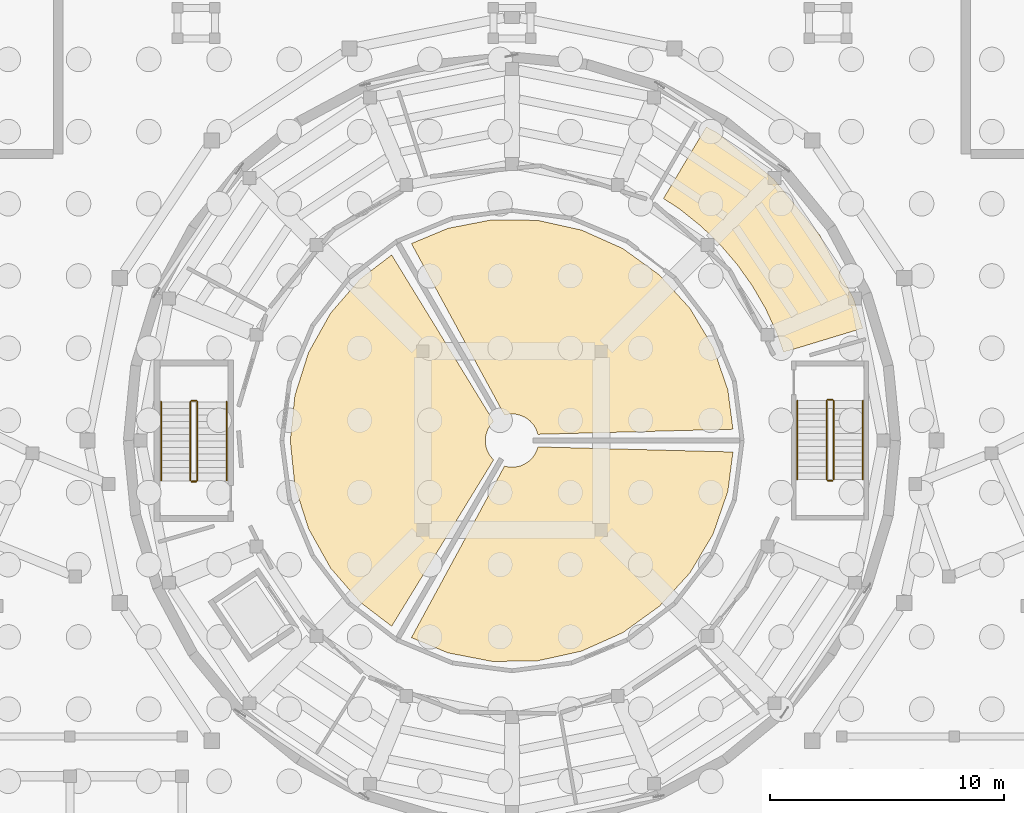
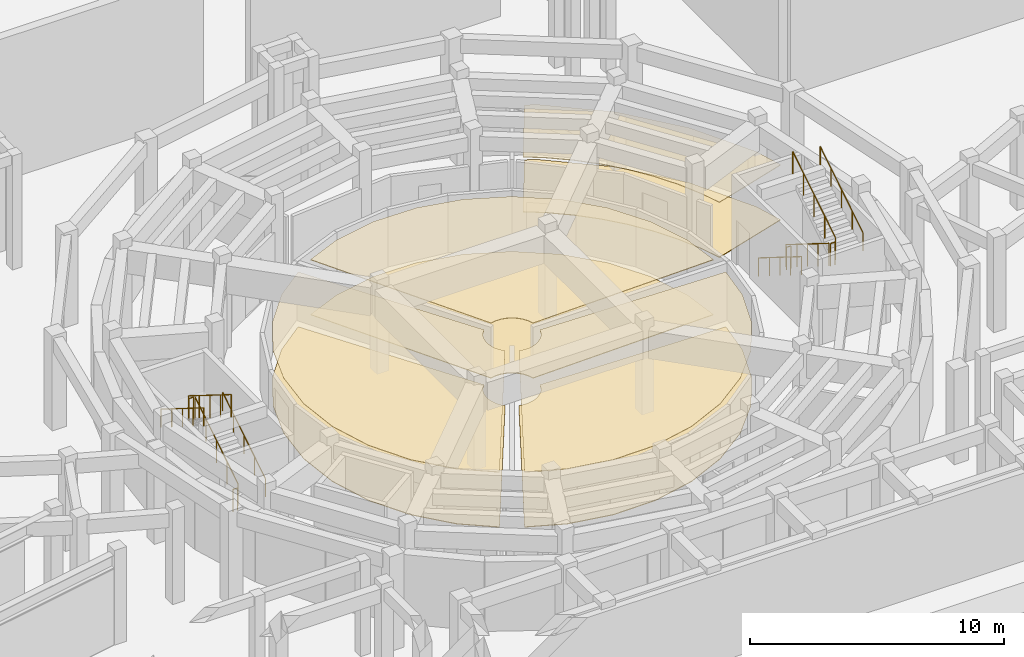
# One storey, part 52 of 57: 12 railings, 8 coverings.
"""IFC4 building model written with IfcOpenShell, lengths in metres."""

from ifc_helpers import new_model, si_unit, direction, frame, origin, origin_2d, place, context, subcontext, project, spatial, polyline, circle, outline, extrude, material, layer, layer_set, type_object, element, save


model = new_model("IFC4")

# Units and contexts
model_context = context("Model", 3, precision=1e-05, world=origin(), true_north=direction((0.0, 1.0)))
body_context = subcontext(model_context, "Body", "Model", "MODEL_VIEW")
ifc_project = project(units=[si_unit("LENGTHUNIT", "METRE"), si_unit("AREAUNIT", "SQUARE_METRE"), si_unit("VOLUMEUNIT", "CUBIC_METRE"), si_unit("PLANEANGLEUNIT", "RADIAN"), si_unit("MASSUNIT", "GRAM", prefix="KILO")], contexts=[model_context])

# Site, building, storey
site_placement = place(None, origin())
site = spatial("IfcSite", under=ifc_project, at=site_placement, CompositionType="ELEMENT")
building_placement = place(site_placement, origin())
building = spatial("IfcBuilding", under=site, at=building_placement, Name="Aldenvaro Health Centre", CompositionType="ELEMENT")
storey_placement = place(building_placement, frame((0.0, 0.0, -4.550048828125)))
storey = spatial("IfcBuildingStorey", under=building, at=storey_placement, Name="B1", CompositionType="ELEMENT", Elevation=-4.550048828125)

# Coverings
ifc_material_1 = material(Name="Perforated Douglas Fir Slatted Ceiling")
ifc_layer_1 = layer(ifc_material_1, 0.031982421875, Name="Perforated Douglas Fir Slatted Ceiling")
ifc_layer_set_1 = layer_set([ifc_layer_1], Name="Perforated Douglas Fir Slatted Ceiling")
covering_type_1 = type_object("IfcCoveringType", Name="COV-CLG-WD32", PredefinedType="CEILING", material=ifc_layer_set_1)
covering_1_placement = place(storey_placement, frame((0.0, 0.0, 2.64013671875)))
element("IfcCovering", 1, at=covering_1_placement, inside=storey, type_object=covering_type_1, Name="D1-B1-C01 Suspended Ceiling", PredefinedType="CEILING", context=body_context, shape_type="SweptSolid", body=[
    extrude(outline(polyline([(86.678955078125, 21.093994140625), (82.699951171875, 28.423095703125), (84.260009765625, 29.073974609375), (86.156982421875, 29.44091796875), (88.089111328125, 29.416015625), (89.97607421875, 28.9990234375), (91.739013671875, 28.208984375), (93.305908203125, 27.076904296875), (94.610107421875, 25.65087890625), (95.597900390625, 23.990966796875), (96.22802734375, 22.1640625), (96.445068359375, 20.487060546875), (88.10693359375, 20.26904296875), (88.10302734375, 20.283935546875), (88.04296875, 20.45703125), (88.033935546875, 20.47998046875), (88.02294921875, 20.501953125), (87.928955078125, 20.658935546875), (87.9150390625, 20.679931640625), (87.89990234375, 20.698974609375), (87.77587890625, 20.833984375), (87.758056640625, 20.85107421875), (87.739013671875, 20.866943359375), (87.591064453125, 20.97412109375), (87.570068359375, 20.987060546875), (87.548095703125, 20.998046875), (87.381103515625, 21.072998046875), (87.35791015625, 21.08203125), (87.333984375, 21.089111328125), (87.155029296875, 21.1279296875), (87.131103515625, 21.132080078125), (87.10693359375, 21.134033203125), (86.923095703125, 21.135986328125), (86.89892578125, 21.135009765625), (86.8740234375, 21.132080078125), (86.694091796875, 21.096923828125), (86.678955078125, 21.093994140625)])), origin(), (0.0, 0.0, 1.0), 0.031982421875),
])
covering_2_placement = place(storey_placement, frame((0.0, 0.0, 2.64013671875)))
element("IfcCovering", 2, at=covering_2_placement, inside=storey, type_object=covering_type_1, Name="D1-B1-C02 Suspended Ceiling", PredefinedType="CEILING", context=body_context, shape_type="SweptSolid", body=[
    extrude(outline(polyline([(81.85595703125, 27.93603515625), (86.212890625, 20.823974609375), (86.202880859375, 20.81298828125), (86.08203125, 20.675048828125), (86.06689453125, 20.656005859375), (86.053955078125, 20.635009765625), (85.965087890625, 20.47509765625), (85.9541015625, 20.452880859375), (85.945068359375, 20.429931640625), (85.889892578125, 20.2548828125), (85.884033203125, 20.23095703125), (85.8798828125, 20.20703125), (85.861083984375, 20.02392578125), (85.860107421875, 20.0), (85.861083984375, 19.97607421875), (85.8798828125, 19.79296875), (85.884033203125, 19.76904296875), (85.889892578125, 19.7451171875), (85.945068359375, 19.570068359375), (85.9541015625, 19.547119140625), (85.965087890625, 19.52490234375), (86.053955078125, 19.364990234375), (86.06689453125, 19.343994140625), (86.08203125, 19.324951171875), (86.202880859375, 19.18701171875), (86.212890625, 19.176025390625), (81.85595703125, 12.06396484375), (80.510986328125, 13.090087890625), (79.2451171875, 14.550048828125), (78.301025390625, 16.236083984375), (77.718017578125, 18.077880859375), (77.52099609375, 20.0), (77.718017578125, 21.922119140625), (78.301025390625, 23.763916015625), (79.2451171875, 25.449951171875), (80.510986328125, 26.909912109375), (81.85595703125, 27.93603515625)])), origin(), (0.0, 0.0, 1.0), 0.031982421875),
])
covering_3_placement = place(storey_placement, frame((0.0, 0.0, 2.64013671875)))
element("IfcCovering", 3, at=covering_3_placement, inside=storey, type_object=covering_type_1, Name="D1-B1-C03 Suspended Ceiling", PredefinedType="CEILING", context=body_context, shape_type="SweptSolid", body=[
    extrude(outline(polyline([(82.699951171875, 11.576904296875), (86.678955078125, 18.906005859375), (86.694091796875, 18.903076171875), (86.8740234375, 18.867919921875), (86.89892578125, 18.864990234375), (86.923095703125, 18.864013671875), (87.10693359375, 18.865966796875), (87.131103515625, 18.867919921875), (87.155029296875, 18.8720703125), (87.333984375, 18.910888671875), (87.35791015625, 18.91796875), (87.381103515625, 18.927001953125), (87.548095703125, 19.001953125), (87.570068359375, 19.012939453125), (87.591064453125, 19.02587890625), (87.739013671875, 19.133056640625), (87.758056640625, 19.14892578125), (87.77587890625, 19.166015625), (87.89990234375, 19.301025390625), (87.9150390625, 19.320068359375), (87.928955078125, 19.341064453125), (88.02294921875, 19.498046875), (88.033935546875, 19.52001953125), (88.04296875, 19.54296875), (88.10302734375, 19.716064453125), (88.10693359375, 19.73095703125), (96.445068359375, 19.512939453125), (96.22802734375, 17.8359375), (95.597900390625, 16.009033203125), (94.610107421875, 14.34912109375), (93.305908203125, 12.923095703125), (91.739013671875, 11.791015625), (89.97607421875, 11.0009765625), (88.089111328125, 10.583984375), (86.156982421875, 10.55908203125), (84.260009765625, 10.926025390625), (82.699951171875, 11.576904296875)])), origin(), (0.0, 0.0, 1.0), 0.031982421875),
])
covering_4_placement = place(storey_placement, frame((0.0, 0.0, 2.64013671875)))
element("IfcCovering", 4, at=covering_4_placement, inside=storey, type_object=covering_type_1, Name="D1-B1-R01 Suspended Ceiling", PredefinedType="CEILING", context=body_context, shape_type="SweptSolid", body=[
    extrude(outline(polyline([(98.320068359375, 24.60205078125), (98.31201171875, 24.6220703125), (97.84912109375, 25.623046875), (97.839111328125, 25.64306640625), (97.285888671875, 26.596923828125), (97.27392578125, 26.614990234375), (96.635986328125, 27.514892578125), (96.6220703125, 27.531982421875), (95.904052734375, 28.368896484375), (95.888916015625, 28.385009765625), (95.096923828125, 29.152099609375), (95.0810546875, 29.166015625), (94.221923828125, 29.85693359375), (94.2041015625, 29.87109375), (93.47607421875, 30.35302734375), (95.305908203125, 33.410888671875), (95.7880859375, 33.153076171875), (98.18603515625, 31.18603515625), (100.153076171875, 28.7880859375), (101.614013671875, 26.053955078125), (101.992919921875, 24.805908203125), (98.81103515625, 23.839111328125), (98.81005859375, 23.839111328125), (98.787109375, 23.8369140625), (98.779052734375, 23.8359375), (98.756103515625, 23.8310546875), (98.748046875, 23.8291015625), (98.72607421875, 23.822998046875), (98.718994140625, 23.820068359375), (98.697021484375, 23.81103515625), (98.68994140625, 23.80810546875), (98.6689453125, 23.7958984375), (98.66796875, 23.7958984375), (98.612060546875, 23.779052734375), (98.320068359375, 24.60205078125)])), origin(), (0.0, 0.0, 1.0), 0.031982421875),
])
ifc_material_2 = material(Name="Honed Arizona Limestone Flooring", Category="masonry")
ifc_layer_2 = layer(ifc_material_2, 0.030029296875, Name="Honed Arizona Limestone Flooring", Category="masonry")
ifc_layer_set_2 = layer_set([ifc_layer_2], Name="Honed Arizona Limestone Flooring")
covering_type_2 = type_object("IfcCoveringType", Name="COV-FLR-STN30", PredefinedType="FLOORING", material=ifc_layer_set_2)
covering_5_placement = place(storey_placement, origin())
element("IfcCovering", 5, at=covering_5_placement, inside=storey, type_object=covering_type_2, Name="D1-B1-C01 Flooring", PredefinedType="FLOORING", context=body_context, shape_type="SweptSolid", body=[
    extrude(outline(polyline([(86.678955078125, 21.093994140625), (82.699951171875, 28.423095703125), (84.260009765625, 29.073974609375), (86.156982421875, 29.44091796875), (88.089111328125, 29.416015625), (89.97607421875, 28.9990234375), (91.739013671875, 28.208984375), (93.305908203125, 27.076904296875), (94.610107421875, 25.65087890625), (95.597900390625, 23.990966796875), (96.22802734375, 22.1640625), (96.445068359375, 20.487060546875), (88.10693359375, 20.26904296875), (88.10302734375, 20.283935546875), (88.04296875, 20.45703125), (88.033935546875, 20.47998046875), (88.02294921875, 20.501953125), (87.928955078125, 20.658935546875), (87.9150390625, 20.679931640625), (87.89990234375, 20.698974609375), (87.77587890625, 20.833984375), (87.758056640625, 20.85107421875), (87.739013671875, 20.866943359375), (87.591064453125, 20.97412109375), (87.570068359375, 20.987060546875), (87.548095703125, 20.998046875), (87.381103515625, 21.072998046875), (87.35791015625, 21.08203125), (87.333984375, 21.089111328125), (87.155029296875, 21.1279296875), (87.131103515625, 21.132080078125), (87.10693359375, 21.134033203125), (86.923095703125, 21.135986328125), (86.89892578125, 21.135009765625), (86.8740234375, 21.132080078125), (86.694091796875, 21.096923828125), (86.678955078125, 21.093994140625)])), origin(), (0.0, 0.0, 1.0), 0.030029296875),
])
covering_6_placement = place(storey_placement, origin())
element("IfcCovering", 6, at=covering_6_placement, inside=storey, type_object=covering_type_2, Name="D1-B1-C02 Flooring", PredefinedType="FLOORING", context=body_context, shape_type="SweptSolid", body=[
    extrude(outline(polyline([(81.85595703125, 27.93603515625), (86.212890625, 20.823974609375), (86.202880859375, 20.81298828125), (86.08203125, 20.675048828125), (86.06689453125, 20.656005859375), (86.053955078125, 20.635009765625), (85.965087890625, 20.47509765625), (85.9541015625, 20.452880859375), (85.945068359375, 20.429931640625), (85.889892578125, 20.2548828125), (85.884033203125, 20.23095703125), (85.8798828125, 20.20703125), (85.861083984375, 20.02392578125), (85.860107421875, 20.0), (85.861083984375, 19.97607421875), (85.8798828125, 19.79296875), (85.884033203125, 19.76904296875), (85.889892578125, 19.7451171875), (85.945068359375, 19.570068359375), (85.9541015625, 19.547119140625), (85.965087890625, 19.52490234375), (86.053955078125, 19.364990234375), (86.06689453125, 19.343994140625), (86.08203125, 19.324951171875), (86.202880859375, 19.18701171875), (86.212890625, 19.176025390625), (81.85595703125, 12.06396484375), (80.510986328125, 13.090087890625), (79.2451171875, 14.550048828125), (78.301025390625, 16.236083984375), (77.718017578125, 18.077880859375), (77.52099609375, 20.0), (77.718017578125, 21.922119140625), (78.301025390625, 23.763916015625), (79.2451171875, 25.449951171875), (80.510986328125, 26.909912109375), (81.85595703125, 27.93603515625)])), origin(), (0.0, 0.0, 1.0), 0.030029296875),
])
covering_7_placement = place(storey_placement, origin())
element("IfcCovering", 7, at=covering_7_placement, inside=storey, type_object=covering_type_2, Name="D1-B1-C03 Flooring", PredefinedType="FLOORING", context=body_context, shape_type="SweptSolid", body=[
    extrude(outline(polyline([(82.699951171875, 11.576904296875), (86.678955078125, 18.906005859375), (86.694091796875, 18.903076171875), (86.8740234375, 18.867919921875), (86.89892578125, 18.864990234375), (86.923095703125, 18.864013671875), (87.10693359375, 18.865966796875), (87.131103515625, 18.867919921875), (87.155029296875, 18.8720703125), (87.333984375, 18.910888671875), (87.35791015625, 18.91796875), (87.381103515625, 18.927001953125), (87.548095703125, 19.001953125), (87.570068359375, 19.012939453125), (87.591064453125, 19.02587890625), (87.739013671875, 19.133056640625), (87.758056640625, 19.14892578125), (87.77587890625, 19.166015625), (87.89990234375, 19.301025390625), (87.9150390625, 19.320068359375), (87.928955078125, 19.341064453125), (88.02294921875, 19.498046875), (88.033935546875, 19.52001953125), (88.04296875, 19.54296875), (88.10302734375, 19.716064453125), (88.10693359375, 19.73095703125), (96.445068359375, 19.512939453125), (96.22802734375, 17.8359375), (95.597900390625, 16.009033203125), (94.610107421875, 14.34912109375), (93.305908203125, 12.923095703125), (91.739013671875, 11.791015625), (89.97607421875, 11.0009765625), (88.089111328125, 10.583984375), (86.156982421875, 10.55908203125), (84.260009765625, 10.926025390625), (82.699951171875, 11.576904296875)])), origin(), (0.0, 0.0, 1.0), 0.030029296875),
])
covering_8_placement = place(storey_placement, origin())
element("IfcCovering", 8, at=covering_8_placement, inside=storey, type_object=covering_type_2, Name="D1-B1-R01 Flooring", PredefinedType="FLOORING", context=body_context, shape_type="SweptSolid", body=[
    extrude(outline(polyline([(98.320068359375, 24.60205078125), (98.31201171875, 24.6220703125), (97.84912109375, 25.623046875), (97.839111328125, 25.64306640625), (97.285888671875, 26.596923828125), (97.27392578125, 26.614990234375), (96.635986328125, 27.514892578125), (96.6220703125, 27.531982421875), (95.904052734375, 28.368896484375), (95.888916015625, 28.385009765625), (95.096923828125, 29.152099609375), (95.0810546875, 29.166015625), (94.221923828125, 29.85693359375), (94.2041015625, 29.87109375), (93.47607421875, 30.35302734375), (95.305908203125, 33.410888671875), (95.7880859375, 33.153076171875), (98.18603515625, 31.18603515625), (100.153076171875, 28.7880859375), (101.614013671875, 26.053955078125), (101.992919921875, 24.805908203125), (98.81103515625, 23.839111328125), (98.81005859375, 23.839111328125), (98.787109375, 23.8369140625), (98.779052734375, 23.8359375), (98.756103515625, 23.8310546875), (98.748046875, 23.8291015625), (98.72607421875, 23.822998046875), (98.718994140625, 23.820068359375), (98.697021484375, 23.81103515625), (98.68994140625, 23.80810546875), (98.6689453125, 23.7958984375), (98.66796875, 23.7958984375), (98.612060546875, 23.779052734375), (98.320068359375, 24.60205078125)])), origin(), (0.0, 0.0, 1.0), 0.030029296875),
])

# Railings
ifc_material_3 = material(Name="Painted Architectural Steel", Category="steel")
railing_type_1 = type_object("IfcRailingType", Name="RL-BAL-INT", PredefinedType="BALUSTRADE", material=ifc_material_3)
railing_1_placement = place(storey_placement, frame((73.550048828125, 18.300048828125, 0.175048828125)))
element("IfcRailing", 9, at=railing_1_placement, inside=storey, type_object=railing_type_1, Name="B1 ST-01 stair guard 1", PredefinedType="BALUSTRADE", context=body_context, shape_type="SweptSolid", body=[
    extrude(circle(Radius=0.02392578125, at=origin_2d()), frame((0.0, 0.0, 1.076171875), z_axis=(0.0, 0.847977533471, 0.530032171408), x_axis=(-1.0, 0.0, 0.0)), (0.0, 0.0, 1.0), 3.962158203125),
    extrude(circle(Radius=0.02099609375, at=origin_2d()), origin(), (0.0, 0.0, 1.0), 1.052001953125),
    extrude(circle(Radius=0.02099609375, at=origin_2d()), frame((0.0, 0.83984375, 0.52490234375)), (0.0, 0.0, 1.0), 1.052001953125),
    extrude(circle(Radius=0.02099609375, at=origin_2d()), frame((0.0, 1.679931640625, 1.050048828125)), (0.0, 0.0, 1.0), 1.052001953125),
    extrude(circle(Radius=0.02099609375, at=origin_2d()), frame((0.0, 2.52001953125, 1.5751953125)), (0.0, 0.0, 1.0), 1.052001953125),
    extrude(circle(Radius=0.02099609375, at=origin_2d()), frame((0.0, 3.35986328125, 2.10009765625)), (0.0, 0.0, 1.0), 1.052001953125),
])
railing_2_placement = place(storey_placement, frame((73.5, 21.7099609375, 2.275146484375)))
element("IfcRailing", 10, at=railing_2_placement, inside=storey, type_object=railing_type_1, Name="B1 ST-01 stair guard 2", PredefinedType="BALUSTRADE", context=body_context, shape_type="SweptSolid", body=[
    extrude(circle(Radius=0.02392578125, at=origin_2d()), frame((0.0, 0.0, 1.076171875), z_axis=(-1.0, 0.0, 0.0), x_axis=(0.0, -1.0, 0.0)), (0.0, 0.0, 1.0), 0.199951171875),
    extrude(circle(Radius=0.02099609375, at=origin_2d()), origin(), (0.0, 0.0, 1.0), 1.052001953125),
    extrude(circle(Radius=0.02099609375, at=origin_2d()), frame((-0.199951171875, 0.0, 0.0)), (0.0, 0.0, 1.0), 1.052001953125),
])
railing_3_placement = place(storey_placement, frame((73.25, 21.659912109375, 2.449951171875)))
element("IfcRailing", 11, at=railing_3_placement, inside=storey, type_object=railing_type_1, Name="B1 ST-01 stair guard 3", PredefinedType="BALUSTRADE", context=body_context, shape_type="SweptSolid", body=[
    extrude(circle(Radius=0.02392578125, at=origin_2d()), frame((0.0, 0.0, 1.076171875), z_axis=(0.0, -0.847977533471, 0.530032171408), x_axis=(1.0, 0.0, 0.0)), (0.0, 0.0, 1.0), 3.962158203125),
    extrude(circle(Radius=0.02099609375, at=origin_2d()), origin(), (0.0, 0.0, 1.0), 1.052001953125),
    extrude(circle(Radius=0.02099609375, at=origin_2d()), frame((0.0, -0.83984375, 0.52490234375)), (0.0, 0.0, 1.0), 1.052001953125),
    extrude(circle(Radius=0.02099609375, at=origin_2d()), frame((0.0, -1.679931640625, 1.050048828125)), (0.0, 0.0, 1.0), 1.052001953125),
    extrude(circle(Radius=0.02099609375, at=origin_2d()), frame((0.0, -2.52001953125, 1.5751953125)), (0.0, 0.0, 1.0), 1.052001953125),
    extrude(circle(Radius=0.02099609375, at=origin_2d()), frame((0.0, -3.35986328125, 2.10009765625)), (0.0, 0.0, 1.0), 1.052001953125),
])
railing_4_placement = place(storey_placement, frame((73.5, 18.25, 0.0)))
element("IfcRailing", 12, at=railing_4_placement, inside=storey, type_object=railing_type_1, Name="B1 ST-01 stair guard 4", PredefinedType="BALUSTRADE", context=body_context, shape_type="SweptSolid", body=[
    extrude(circle(Radius=0.02392578125, at=origin_2d()), frame((0.0, 0.0, 1.076171875), z_axis=(-1.0, 0.0, 0.0), x_axis=(0.0, -1.0, 0.0)), (0.0, 0.0, 1.0), 0.199951171875),
    extrude(circle(Radius=0.02099609375, at=origin_2d()), origin(), (0.0, 0.0, 1.0), 1.052001953125),
    extrude(circle(Radius=0.02099609375, at=origin_2d()), frame((-0.199951171875, 0.0, 0.0)), (0.0, 0.0, 1.0), 1.052001953125),
])
railing_5_placement = place(storey_placement, frame((100.449951171875, 21.699951171875, 0.175048828125)))
element("IfcRailing", 13, at=railing_5_placement, inside=storey, type_object=railing_type_1, Name="B1 ST-02 stair guard 1", PredefinedType="BALUSTRADE", context=body_context, shape_type="SweptSolid", body=[
    extrude(circle(Radius=0.02392578125, at=origin_2d()), frame((0.0, 0.0, 1.076171875), z_axis=(0.0, -0.847977533471, 0.530032171408), x_axis=(1.0, 0.0, 0.0)), (0.0, 0.0, 1.0), 3.962158203125),
    extrude(circle(Radius=0.02099609375, at=origin_2d()), origin(), (0.0, 0.0, 1.0), 1.052001953125),
    extrude(circle(Radius=0.02099609375, at=origin_2d()), frame((0.0, -0.83984375, 0.52490234375)), (0.0, 0.0, 1.0), 1.052001953125),
    extrude(circle(Radius=0.02099609375, at=origin_2d()), frame((0.0, -1.679931640625, 1.050048828125)), (0.0, 0.0, 1.0), 1.052001953125),
    extrude(circle(Radius=0.02099609375, at=origin_2d()), frame((0.0, -2.52001953125, 1.5751953125)), (0.0, 0.0, 1.0), 1.052001953125),
    extrude(circle(Radius=0.02099609375, at=origin_2d()), frame((0.0, -3.35986328125, 2.10009765625)), (0.0, 0.0, 1.0), 1.052001953125),
])
railing_6_placement = place(storey_placement, frame((100.5, 18.2900390625, 2.275146484375)))
element("IfcRailing", 14, at=railing_6_placement, inside=storey, type_object=railing_type_1, Name="B1 ST-02 stair guard 2", PredefinedType="BALUSTRADE", context=body_context, shape_type="SweptSolid", body=[
    extrude(circle(Radius=0.02392578125, at=origin_2d()), frame((0.0, 0.0, 1.076171875), z_axis=(1.0, 0.0, 0.0), x_axis=(0.0, 1.0, 0.0)), (0.0, 0.0, 1.0), 0.199951171875),
    extrude(circle(Radius=0.02099609375, at=origin_2d()), origin(), (0.0, 0.0, 1.0), 1.052001953125),
    extrude(circle(Radius=0.02099609375, at=origin_2d()), frame((0.199951171875, 0.0, 0.0)), (0.0, 0.0, 1.0), 1.052001953125),
])
railing_7_placement = place(storey_placement, frame((100.75, 18.340087890625, 2.449951171875)))
element("IfcRailing", 15, at=railing_7_placement, inside=storey, type_object=railing_type_1, Name="B1 ST-02 stair guard 3", PredefinedType="BALUSTRADE", context=body_context, shape_type="SweptSolid", body=[
    extrude(circle(Radius=0.02392578125, at=origin_2d()), frame((0.0, 0.0, 1.076171875), z_axis=(0.0, 0.847977533471, 0.530032171408), x_axis=(-1.0, 0.0, 0.0)), (0.0, 0.0, 1.0), 3.962158203125),
    extrude(circle(Radius=0.02099609375, at=origin_2d()), origin(), (0.0, 0.0, 1.0), 1.052001953125),
    extrude(circle(Radius=0.02099609375, at=origin_2d()), frame((0.0, 0.83984375, 0.52490234375)), (0.0, 0.0, 1.0), 1.052001953125),
    extrude(circle(Radius=0.02099609375, at=origin_2d()), frame((0.0, 1.679931640625, 1.050048828125)), (0.0, 0.0, 1.0), 1.052001953125),
    extrude(circle(Radius=0.02099609375, at=origin_2d()), frame((0.0, 2.52001953125, 1.5751953125)), (0.0, 0.0, 1.0), 1.052001953125),
    extrude(circle(Radius=0.02099609375, at=origin_2d()), frame((0.0, 3.35986328125, 2.10009765625)), (0.0, 0.0, 1.0), 1.052001953125),
])
railing_8_placement = place(storey_placement, frame((100.5, 21.75, 0.0)))
element("IfcRailing", 16, at=railing_8_placement, inside=storey, type_object=railing_type_1, Name="B1 ST-02 stair guard 4", PredefinedType="BALUSTRADE", context=body_context, shape_type="SweptSolid", body=[
    extrude(circle(Radius=0.02392578125, at=origin_2d()), frame((0.0, 0.0, 1.076171875), z_axis=(1.0, 0.0, 0.0), x_axis=(0.0, 1.0, 0.0)), (0.0, 0.0, 1.0), 0.199951171875),
    extrude(circle(Radius=0.02099609375, at=origin_2d()), origin(), (0.0, 0.0, 1.0), 1.052001953125),
    extrude(circle(Radius=0.02099609375, at=origin_2d()), frame((0.199951171875, 0.0, 0.0)), (0.0, 0.0, 1.0), 1.052001953125),
])
railing_type_2 = type_object("IfcRailingType", Name="RL-HND-INT", PredefinedType="HANDRAIL", material=ifc_material_3)
railing_9_placement = place(storey_placement, frame((74.800048828125, 18.300048828125, 0.175048828125)))
element("IfcRailing", 17, at=railing_9_placement, inside=storey, type_object=railing_type_2, Name="B1 ST-01 stair handrail 1", PredefinedType="HANDRAIL", context=body_context, shape_type="SweptSolid", body=[
    extrude(circle(Radius=0.02392578125, at=origin_2d()), frame((0.0, 0.0, 0.8759765625), z_axis=(0.0, 0.847977533471, 0.530032171408), x_axis=(-1.0, 0.0, 0.0)), (0.0, 0.0, 1.0), 3.962158203125),
    extrude(circle(Radius=0.02099609375, at=origin_2d()), origin(), (0.0, 0.0, 1.0), 0.851806640625),
    extrude(circle(Radius=0.02099609375, at=origin_2d()), frame((0.0, 0.83984375, 0.52490234375)), (0.0, 0.0, 1.0), 0.851806640625),
    extrude(circle(Radius=0.02099609375, at=origin_2d()), frame((0.0, 1.679931640625, 1.050048828125)), (0.0, 0.0, 1.0), 0.851806640625),
    extrude(circle(Radius=0.02099609375, at=origin_2d()), frame((0.0, 2.52001953125, 1.5751953125)), (0.0, 0.0, 1.0), 0.851806640625),
    extrude(circle(Radius=0.02099609375, at=origin_2d()), frame((0.0, 3.35986328125, 2.10009765625)), (0.0, 0.0, 1.0), 0.851806640625),
])
for number, where, name in (
    (18, (72.0, 21.659912109375, 2.449951171875), "B1 ST-01 stair handrail 2"),
    (19, (99.199951171875, 21.699951171875, 0.175048828125), "B1 ST-02 stair handrail 1"),
):
    element("IfcRailing", number, at=place(storey_placement, frame(where)), inside=storey, type_object=railing_type_2, Name=name, PredefinedType="HANDRAIL", context=body_context, shape_type="SweptSolid", body=[
        extrude(circle(Radius=0.02392578125, at=origin_2d()), frame((0.0, 0.0, 0.8759765625), z_axis=(0.0, -0.847977533471, 0.530032171408), x_axis=(1.0, 0.0, 0.0)), (0.0, 0.0, 1.0), 3.962158203125),
        extrude(circle(Radius=0.02099609375, at=origin_2d()), origin(), (0.0, 0.0, 1.0), 0.851806640625),
        extrude(circle(Radius=0.02099609375, at=origin_2d()), frame((0.0, -0.83984375, 0.52490234375)), (0.0, 0.0, 1.0), 0.851806640625),
        extrude(circle(Radius=0.02099609375, at=origin_2d()), frame((0.0, -1.679931640625, 1.050048828125)), (0.0, 0.0, 1.0), 0.851806640625),
        extrude(circle(Radius=0.02099609375, at=origin_2d()), frame((0.0, -2.52001953125, 1.5751953125)), (0.0, 0.0, 1.0), 0.851806640625),
        extrude(circle(Radius=0.02099609375, at=origin_2d()), frame((0.0, -3.35986328125, 2.10009765625)), (0.0, 0.0, 1.0), 0.851806640625),
    ])
railing_10_placement = place(storey_placement, frame((102.0, 18.340087890625, 2.449951171875)))
element("IfcRailing", 20, at=railing_10_placement, inside=storey, type_object=railing_type_2, Name="B1 ST-02 stair handrail 2", PredefinedType="HANDRAIL", context=body_context, shape_type="SweptSolid", body=[
    extrude(circle(Radius=0.02392578125, at=origin_2d()), frame((0.0, 0.0, 0.8759765625), z_axis=(0.0, 0.847977533471, 0.530032171408), x_axis=(-1.0, 0.0, 0.0)), (0.0, 0.0, 1.0), 3.962158203125),
    extrude(circle(Radius=0.02099609375, at=origin_2d()), origin(), (0.0, 0.0, 1.0), 0.851806640625),
    extrude(circle(Radius=0.02099609375, at=origin_2d()), frame((0.0, 0.83984375, 0.52490234375)), (0.0, 0.0, 1.0), 0.851806640625),
    extrude(circle(Radius=0.02099609375, at=origin_2d()), frame((0.0, 1.679931640625, 1.050048828125)), (0.0, 0.0, 1.0), 0.851806640625),
    extrude(circle(Radius=0.02099609375, at=origin_2d()), frame((0.0, 2.52001953125, 1.5751953125)), (0.0, 0.0, 1.0), 0.851806640625),
    extrude(circle(Radius=0.02099609375, at=origin_2d()), frame((0.0, 3.35986328125, 2.10009765625)), (0.0, 0.0, 1.0), 0.851806640625),
])

save(model, "model.ifc")
